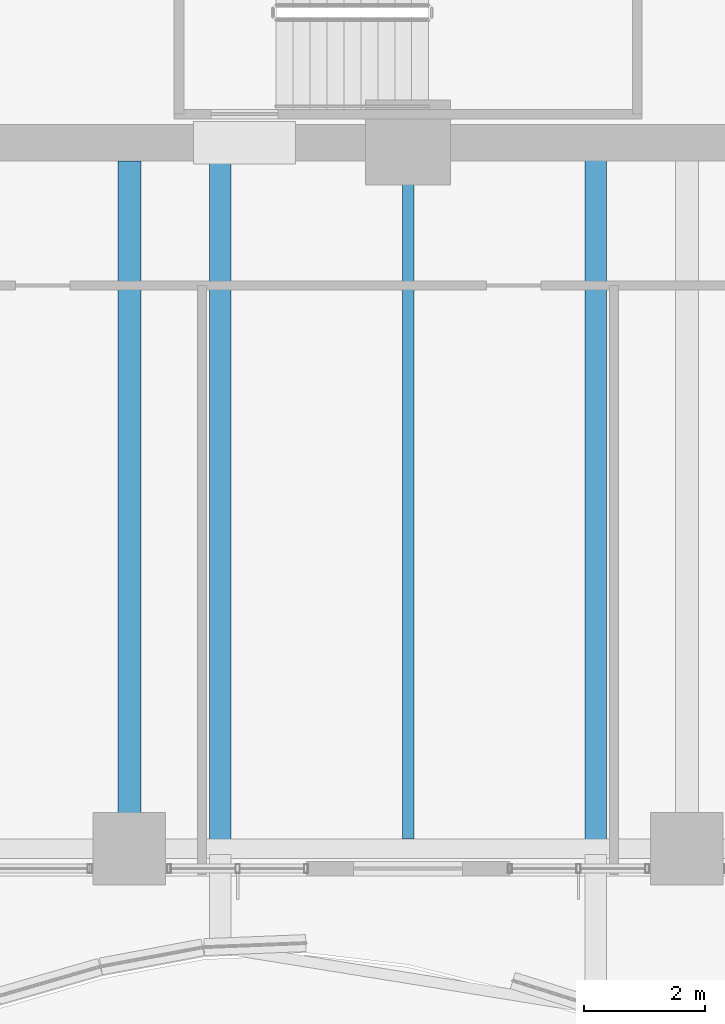
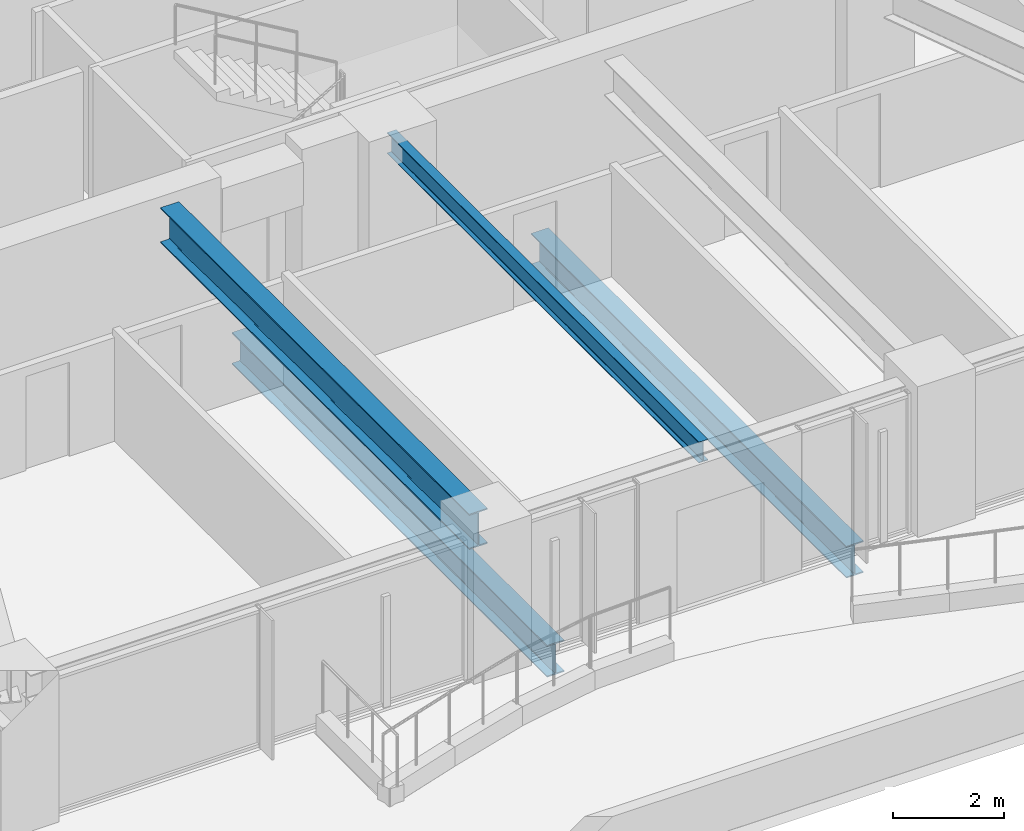
# One storey, part 5 of 36: 4 beams.
"""IFC4 building model written with IfcOpenShell, lengths in metres."""

from ifc_helpers import new_model, si_unit, direction, frame, origin, origin_2d, place, context, subcontext, project, spatial, i_section, extrude, material, material_profile, profile_set, type_object, element, save


model = new_model("IFC4")

# Units and contexts
model_context = context("Model", 3, precision=1e-05, world=origin(), true_north=direction((0.0, 1.0)))
body_context = subcontext(model_context, "Body", "Model", "MODEL_VIEW")
ifc_project = project(units=[si_unit("LENGTHUNIT", "METRE"), si_unit("AREAUNIT", "SQUARE_METRE"), si_unit("VOLUMEUNIT", "CUBIC_METRE"), si_unit("PLANEANGLEUNIT", "RADIAN"), si_unit("MASSUNIT", "GRAM", prefix="KILO")], contexts=[model_context])

# Site, building, storey
site_placement = place(None, origin())
site = spatial("IfcSite", under=ifc_project, at=site_placement, CompositionType="ELEMENT")
building_placement = place(site_placement, origin())
building = spatial("IfcBuilding", under=site, at=building_placement, Name="Kolvaren Belvedere", CompositionType="ELEMENT")
storey_placement = place(building_placement, frame((0.0, 0.0, 23.800048828125)))
storey = spatial("IfcBuildingStorey", under=building, at=storey_placement, Name="L06", CompositionType="ELEMENT", Elevation=23.800048828125)

# Beams
ifc_material_1 = material(Name="Structural steel ASTM A992 Grade 50", Category="steel")
ifc_material_profile_1 = material_profile(ifc_material_1, i_section(OverallWidth=0.35498046875, OverallDepth=0.696044921875, WebThickness=0.015380859375, FlangeThickness=0.02490234375, FilletRadius=0.02197265625, at=origin_2d()), Name="W27X146")
ifc_profile_set_1 = profile_set([ifc_material_profile_1], Name="Structural steel ASTM A992 Grade 50")
beam_type_1 = type_object("IfcBeamType", Name="BM-GIRD-W27X146", PredefinedType="BEAM", material=ifc_profile_set_1)
for number, where, z_axis, x_axis, name in (
    (1, (-3.10009765625, -10.139892578125, -0.588134765625), (0.0, -1.0, 0.0), (1.0, 0.0, 0.0), "L06 Balcony Interior Back-Span Girder BAL-S-1"),
    (2, (3.10009765625, -10.139892578125, -0.588134765625), (0.0, -1.0, 0.0), (1.0, 0.0, 0.0), "L06 Balcony Interior Back-Span Girder BAL-S-2"),
):
    element("IfcBeam", number, at=place(storey_placement, frame(where, z_axis=z_axis, x_axis=x_axis)), inside=storey, type_object=beam_type_1, Name=name, PredefinedType="BEAM", context=body_context, shape_type="SweptSolid", body=[
        extrude(i_section(OverallWidth=0.35498046875, OverallDepth=0.696044921875, WebThickness=0.015380859375, FlangeThickness=0.02490234375, FilletRadius=0.02197265625, at=origin_2d()), origin(), (0.0, 0.0, 1.0), 11.315185546875),
    ])
ifc_material_2 = material(Name="Structural steel ASTM A992 Grade 50", Category="steel")
ifc_material_profile_2 = material_profile(ifc_material_2, i_section(OverallWidth=0.381103515625, OverallDepth=0.77294921875, WebThickness=0.0166015625, FlangeThickness=0.027099609375, FilletRadius=0.02392578125, at=origin_2d()), Name="W30X173")
ifc_profile_set_2 = profile_set([ifc_material_profile_2], Name="Structural steel ASTM A992 Grade 50")
beam_type_2 = type_object("IfcBeamType", Name="BM-GIRD-W30X173", PredefinedType="BEAM", material=ifc_profile_set_2)
beam_1_placement = place(storey_placement, frame((-4.60009765625, -10.199951171875, 2.67333984375), z_axis=(0.0, -1.0, 0.0), x_axis=(1.0, 0.0, 0.0)))
element("IfcBeam", 3, at=beam_1_placement, inside=storey, type_object=beam_type_2, Name="L06 South Radial Girder M", PredefinedType="BEAM", context=body_context, shape_type="SweptSolid", body=[
    extrude(i_section(OverallWidth=0.381103515625, OverallDepth=0.77294921875, WebThickness=0.0166015625, FlangeThickness=0.027099609375, FilletRadius=0.02392578125, at=origin_2d()), origin(), (0.0, 0.0, 1.0), 11.080078125),
])
ifc_material_3 = material(Name="Structural steel ASTM A992 Grade 50", Category="steel")
ifc_material_profile_3 = material_profile(ifc_material_3, i_section(OverallWidth=0.19091796875, OverallDepth=0.4599609375, WebThickness=0.010009765625, FlangeThickness=0.01611328125, FilletRadius=0.014892578125, at=origin_2d()), Name="W18X55")
ifc_profile_set_3 = profile_set([ifc_material_profile_3], Name="Structural steel ASTM A992 Grade 50")
beam_type_3 = type_object("IfcBeamType", Name="BM-JOIST-W18X55", PredefinedType="BEAM", material=ifc_profile_set_3)
beam_2_placement = place(storey_placement, frame((0.0, -10.199951171875, 2.829833984375), z_axis=(0.0, -1.0, 0.0), x_axis=(1.0, 0.0, 0.0)))
element("IfcBeam", 4, at=beam_2_placement, inside=storey, type_object=beam_type_3, Name="L06 South Centre Floor Beam", PredefinedType="BEAM", context=body_context, shape_type="SweptSolid", body=[
    extrude(i_section(OverallWidth=0.19091796875, OverallDepth=0.4599609375, WebThickness=0.010009765625, FlangeThickness=0.01611328125, FilletRadius=0.014892578125, at=origin_2d()), origin(), (0.0, 0.0, 1.0), 11.1875),
])

save(model, "model.ifc")
